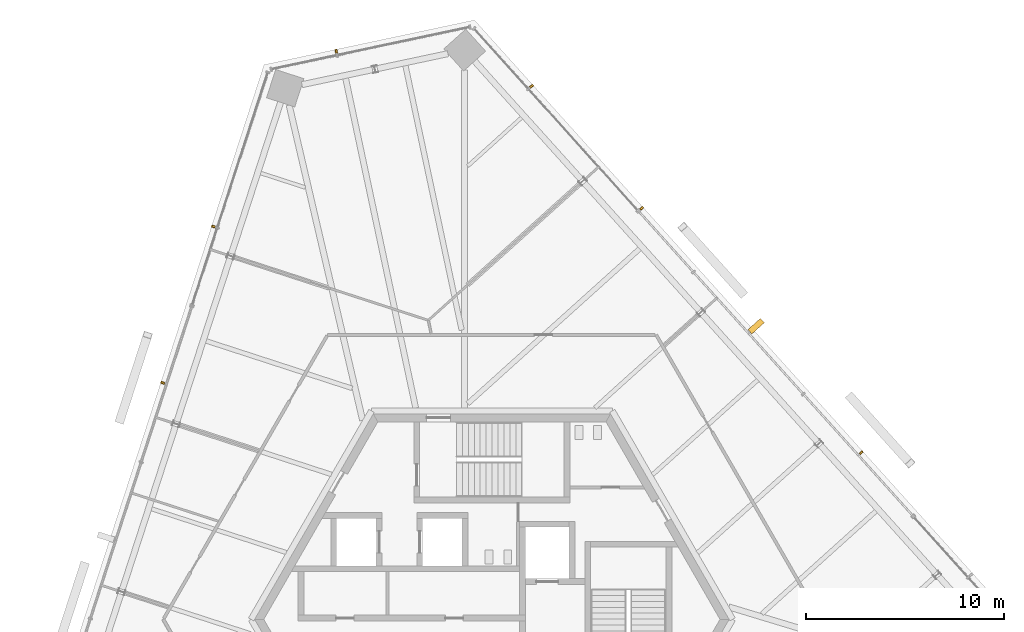
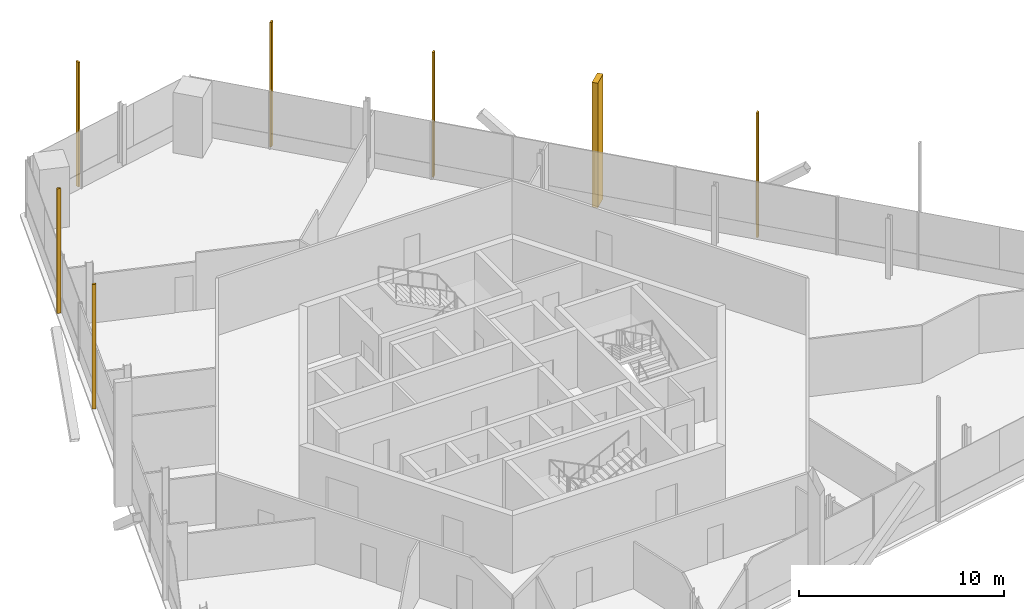
# One storey, part 16 of 17: 7 shading devices.
"""IFC4 building model written with IfcOpenShell, lengths in metres."""

from ifc_helpers import new_model, si_unit, direction, frame, origin, origin_2d, place, context, subcontext, project, spatial, rectangle, extrude, source, transform, mapped, material, element, save


model = new_model("IFC4")

# Units and contexts
model_context = context("Model", 3, precision=1e-05, world=origin(), true_north=direction((0.0, 1.0)))
body_context = subcontext(model_context, "Body", "Model", "MODEL_VIEW")
ifc_project = project(units=[si_unit("LENGTHUNIT", "METRE"), si_unit("AREAUNIT", "SQUARE_METRE"), si_unit("VOLUMEUNIT", "CUBIC_METRE"), si_unit("PLANEANGLEUNIT", "RADIAN"), si_unit("MASSUNIT", "GRAM", prefix="KILO")], contexts=[model_context])

# Site, building, storey
site_placement = place(None, origin())
site = spatial("IfcSite", under=ifc_project, at=site_placement, CompositionType="ELEMENT")
building_placement = place(site_placement, origin())
building = spatial("IfcBuilding", under=site, at=building_placement, Name="Triune Harvest Tower", CompositionType="ELEMENT")
storey_placement = place(building_placement, frame((0.0, 0.0, 281.10009765625)))
storey = spatial("IfcBuildingStorey", under=building, at=storey_placement, Name="L74", CompositionType="ELEMENT", Elevation=281.10009765625)

# Shading devices
ifc_material = material(Name="Aluminium bronze anodised", Category="aluminium")
shared_shape_1 = source(origin(), body_context, "Body", "SweptSolid", [
    extrude(rectangle(XDim=0.10009765625, YDim=0.199951171875, at=origin_2d()), origin(), (0.0, 0.0, 1.0), 7.419921875),
])
for number, where, z_axis, x_axis, name in (
    (1, (18.684814453125, 8.435546875, 0.0), (0.0, 0.0, 1.0), (-0.669131447108, 0.743144068463, 0.0), "FN-1 fin B7-F1.5 L74"),
    (2, (7.561767578125, 20.788818359375, 0.0), (0.0, 0.0, 1.0), (-0.669131447108, 0.743144068463, 0.0), "FN-1 fin B7-F1.9 L74"),
    (3, (2.000244140625, 26.965576171875, 0.0), (0.0, 0.0, 1.0), (-0.669131447108, 0.743144068463, 0.0), "FN-1 fin B7-F1.11 L74"),
    (4, (-7.87060546875, 28.728759765625, 0.0), (0.0, 0.0, 1.0), (-0.978149078297, -0.207904739307, 0.0), "FN-1 fin B7-F2.3 L74"),
    (5, (-14.079345703125, 19.868408203125, 0.0), (0.0, 0.0, 1.0), (-0.309016354995, -0.951056724042, 0.0), "FN-1 fin B7-F3.3 L74"),
    (6, (-16.647705078125, 11.963623046875, 0.0), (0.0, 0.0, 1.0), (-0.309016354995, -0.951056724042, 0.0), "FN-1 fin B7-F3.5 L74"),
):
    element("IfcShadingDevice", number, at=place(storey_placement, frame(where, z_axis=z_axis, x_axis=x_axis)), inside=storey, material=ifc_material, Name=name, ObjectType="FIN", PredefinedType="USERDEFINED", context=body_context, shape_type="MappedRepresentation", body=[
        mapped(shared_shape_1, transform((0.0, 0.0, 0.0), scale=1.0)),
    ])
shared_shape_2 = source(origin(), body_context, "Body", "SweptSolid", [
    extrude(rectangle(XDim=0.300048828125, YDim=0.85009765625, at=origin_2d()), origin(), (0.0, 0.0, 1.0), 7.419921875),
])
shading_device_placement = place(storey_placement, frame((13.36474609375, 14.829833984375, 0.0), z_axis=(0.0, 0.0, 1.0), x_axis=(-0.669131447108, 0.743144068463, 0.0)))
element("IfcShadingDevice", 7, at=shading_device_placement, inside=storey, material=ifc_material, Name="FN-2 fin B7-F1.7 L74", ObjectType="FIN", PredefinedType="USERDEFINED", context=body_context, shape_type="MappedRepresentation", body=[
    mapped(shared_shape_2, transform((0.0, 0.0, 0.0), scale=1.0)),
])

save(model, "model.ifc")
